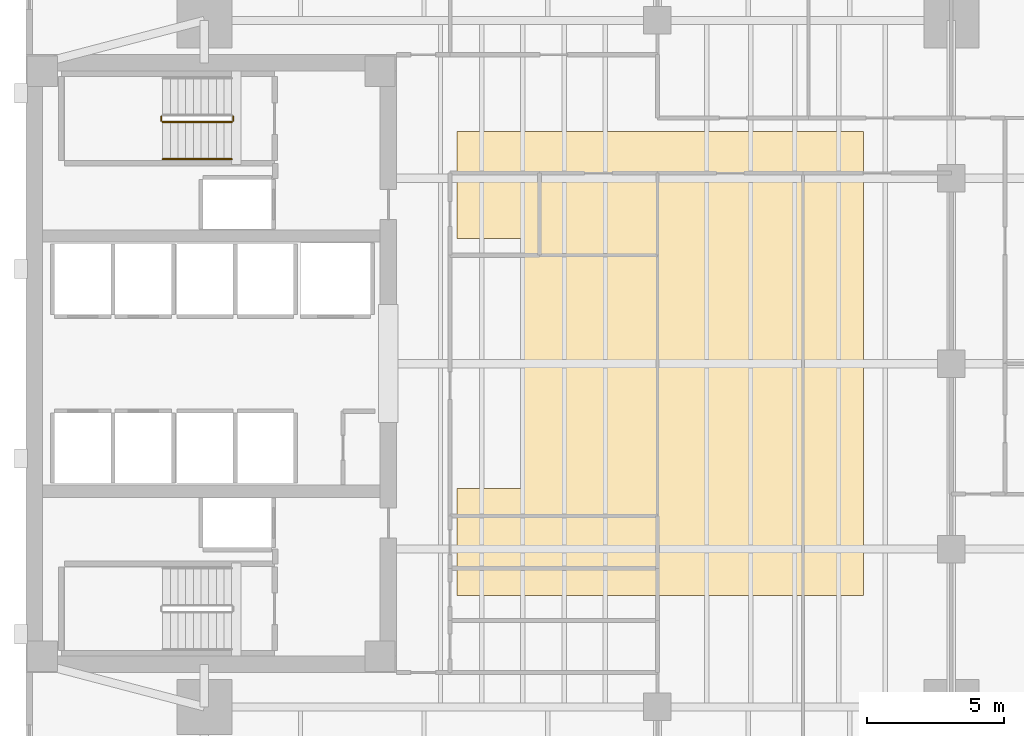
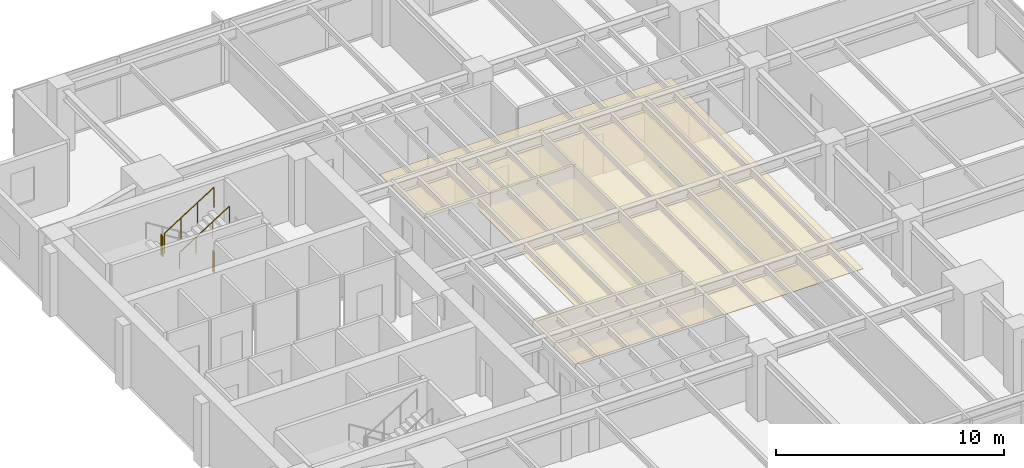
# One storey, part 13 of 14: 4 railings, 1 covering.
"""IFC4 building model written with IfcOpenShell, lengths in metres."""

from ifc_helpers import new_model, si_unit, direction, frame, origin, origin_2d, place, context, subcontext, project, spatial, polyline, circle, outline, extrude, material, layer, layer_set, type_object, element, save


model = new_model("IFC4")

# Units and contexts
model_context = context("Model", 3, precision=1e-05, world=origin(), true_north=direction((0.0, 1.0)))
body_context = subcontext(model_context, "Body", "Model", "MODEL_VIEW")
ifc_project = project(units=[si_unit("LENGTHUNIT", "METRE"), si_unit("AREAUNIT", "SQUARE_METRE"), si_unit("VOLUMEUNIT", "CUBIC_METRE"), si_unit("PLANEANGLEUNIT", "RADIAN"), si_unit("MASSUNIT", "GRAM", prefix="KILO")], contexts=[model_context])

# Site, building, storey
site_placement = place(None, origin())
site = spatial("IfcSite", under=ifc_project, at=site_placement, CompositionType="ELEMENT")
building_placement = place(site_placement, origin())
building = spatial("IfcBuilding", under=site, at=building_placement, Name="Kinhvarn Gate Tower", CompositionType="ELEMENT")
storey_placement = place(building_placement, frame((0.0, 0.0, 120.0)))
storey = spatial("IfcBuildingStorey", under=building, at=storey_placement, Name="L31", CompositionType="ELEMENT", Elevation=120.0)

# Covering
ifc_material_1 = material(Name="Mineral-fibre acoustic ceiling tile")
ifc_layer = layer(ifc_material_1, 0.02001953125)
ifc_layer_set = layer_set([ifc_layer], Name="Mineral-fibre acoustic ceiling tile")
covering_type = type_object("IfcCoveringType", Name="COV-CEIL-20", PredefinedType="CEILING", material=ifc_layer_set)
covering_placement = place(storey_placement, frame((0.0, 0.0, 2.64990234375)))
element("IfcCovering", 1, at=covering_placement, inside=storey, type_object=covering_type, Name="Suspended Acoustic Ceiling Tile (L31-1)", PredefinedType="CEILING", context=body_context, shape_type="SweptSolid", body=[
    extrude(outline(polyline([(35.0, 33.699951171875), (35.0, 16.800048828125), (20.199951171875, 16.800048828125), (20.199951171875, 20.699951171875), (22.60009765625, 20.699951171875), (22.60009765625, 29.800048828125), (20.199951171875, 29.800048828125), (20.199951171875, 33.699951171875), (35.0, 33.699951171875)])), origin(), (0.0, 0.0, 1.0), 0.02001953125),
])

# Railings
ifc_material_2 = material(Name="Steel S355", Category="steel")
railing_type_1 = type_object("IfcRailingType", Name="RL-ST-GRD", PredefinedType="BALUSTRADE", material=ifc_material_2)
railing_1_placement = place(storey_placement, frame((9.429931640625, 34.25, 1.77490234375)))
element("IfcRailing", 2, at=railing_1_placement, inside=storey, type_object=railing_type_1, Name="L31 ST2 stair guard 2", PredefinedType="BALUSTRADE", context=body_context, shape_type="SweptSolid", body=[
    extrude(circle(Radius=0.02392578125, at=origin_2d()), frame((0.0, 0.0, 1.076171875), z_axis=(0.0, -1.0, 0.0), x_axis=(1.0, 0.0, 0.0)), (0.0, 0.0, 1.0), 0.14990234375),
    extrude(circle(Radius=0.02099609375, at=origin_2d()), origin(), (0.0, 0.0, 1.0), 1.052001953125),
    extrude(circle(Radius=0.02099609375, at=origin_2d()), frame((0.0, -0.14990234375, 0.0)), (0.0, 0.0, 1.0), 1.052001953125),
])
railing_2_placement = place(storey_placement, frame((9.47998046875, 34.050048828125, 1.952392578125)))
element("IfcRailing", 3, at=railing_2_placement, inside=storey, type_object=railing_type_1, Name="L31 ST2 stair guard 3", PredefinedType="BALUSTRADE", context=body_context, shape_type="SweptSolid", body=[
    extrude(circle(Radius=0.02392578125, at=origin_2d()), frame((0.0, 0.0, 1.076171875), z_axis=(0.84456994832, 0.0, 0.535445237532), x_axis=(0.0, 1.0, 0.0)), (0.0, 0.0, 1.0), 2.98388671875),
    extrude(circle(Radius=0.02099609375, at=origin_2d()), origin(), (0.0, 0.0, 1.0), 1.052001953125),
    extrude(circle(Radius=0.02099609375, at=origin_2d()), frame((0.840087890625, 0.0, 0.532470703125)), (0.0, 0.0, 1.0), 1.052001953125),
    extrude(circle(Radius=0.02099609375, at=origin_2d()), frame((1.679931640625, 0.0, 1.065185546875)), (0.0, 0.0, 1.0), 1.052001953125),
    extrude(circle(Radius=0.02099609375, at=origin_2d()), frame((2.52001953125, 0.0, 1.59765625)), (0.0, 0.0, 1.0), 1.052001953125),
])
railing_3_placement = place(storey_placement, frame((12.050048828125, 34.25, 0.0)))
element("IfcRailing", 4, at=railing_3_placement, inside=storey, type_object=railing_type_1, Name="L31 ST2 stair guard 4", PredefinedType="BALUSTRADE", context=body_context, shape_type="SweptSolid", body=[
    extrude(circle(Radius=0.02392578125, at=origin_2d()), frame((0.0, 0.0, 1.076171875), z_axis=(0.0, -1.0, 0.0), x_axis=(1.0, 0.0, 0.0)), (0.0, 0.0, 1.0), 0.14990234375),
    extrude(circle(Radius=0.02099609375, at=origin_2d()), origin(), (0.0, 0.0, 1.0), 1.052001953125),
    extrude(circle(Radius=0.02099609375, at=origin_2d()), frame((0.0, -0.14990234375, 0.0)), (0.0, 0.0, 1.0), 1.052001953125),
])
railing_type_2 = type_object("IfcRailingType", Name="RL-ST-HND", PredefinedType="HANDRAIL", material=ifc_material_2)
railing_4_placement = place(storey_placement, frame((9.47998046875, 32.699951171875, 1.952392578125)))
element("IfcRailing", 5, at=railing_4_placement, inside=storey, type_object=railing_type_2, Name="L31 ST2 stair handrail 2", PredefinedType="HANDRAIL", context=body_context, shape_type="SweptSolid", body=[
    extrude(circle(Radius=0.02392578125, at=origin_2d()), frame((0.0, 0.0, 0.8759765625), z_axis=(0.84456994832, 0.0, 0.535445237532), x_axis=(0.0, 1.0, 0.0)), (0.0, 0.0, 1.0), 2.98388671875),
    extrude(circle(Radius=0.02099609375, at=origin_2d()), origin(), (0.0, 0.0, 1.0), 0.851806640625),
    extrude(circle(Radius=0.02099609375, at=origin_2d()), frame((0.840087890625, 0.0, 0.532470703125)), (0.0, 0.0, 1.0), 0.851806640625),
    extrude(circle(Radius=0.02099609375, at=origin_2d()), frame((1.679931640625, 0.0, 1.065185546875)), (0.0, 0.0, 1.0), 0.851806640625),
    extrude(circle(Radius=0.02099609375, at=origin_2d()), frame((2.52001953125, 0.0, 1.59765625)), (0.0, 0.0, 1.0), 0.851806640625),
])

save(model, "model.ifc")
